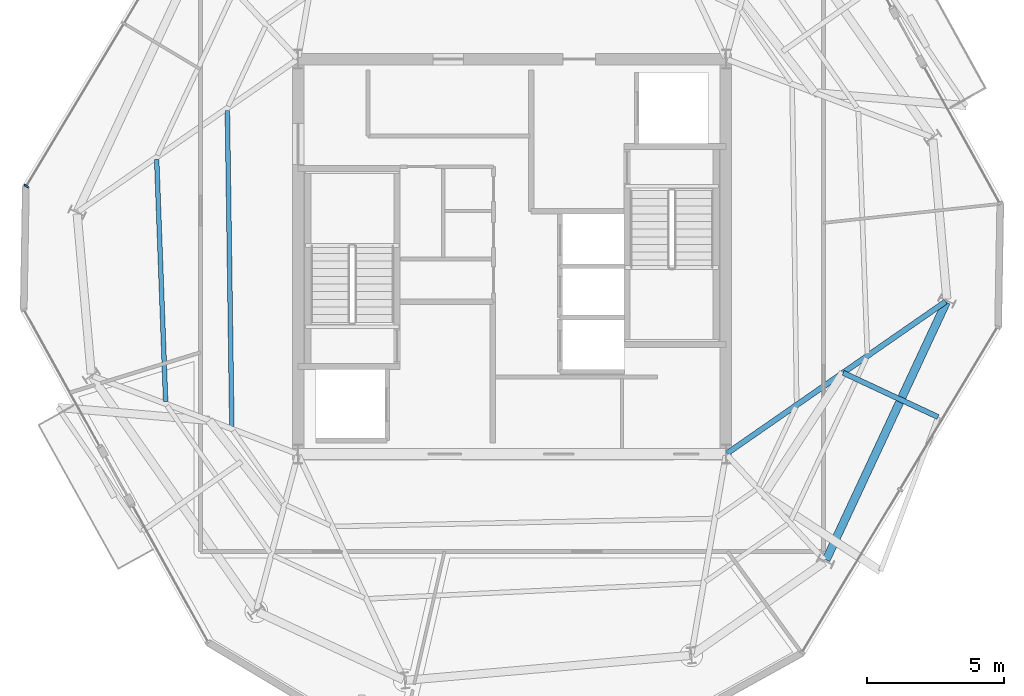
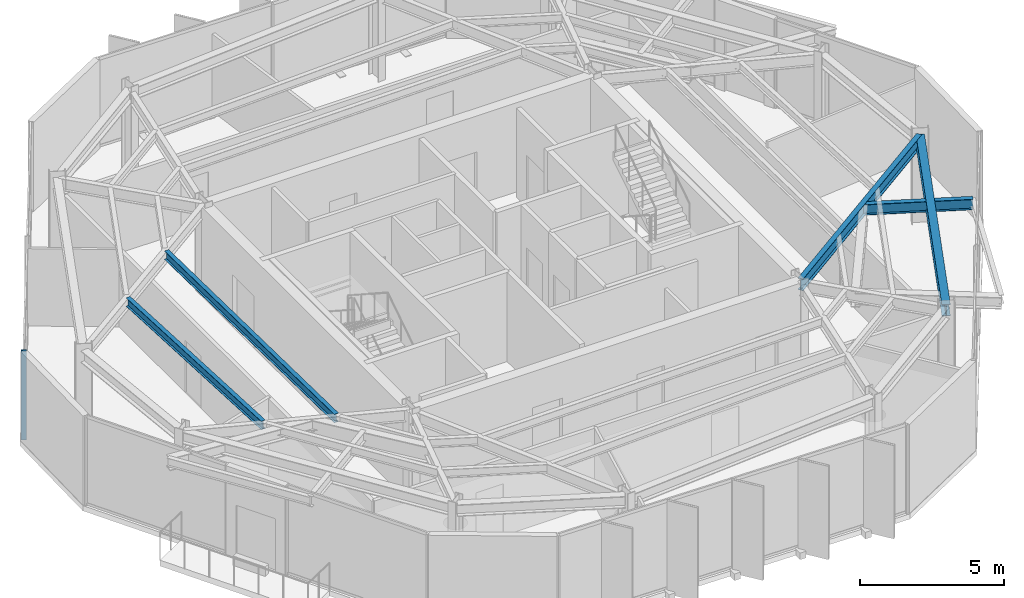
# One storey, part 3 of 10: 5 beams, 1 member, 1 element without a shape of its own.
"""IFC4 building model written with IfcOpenShell, lengths in metres."""

import ifcopenshell
import ifcopenshell.guid

model = None  # the IFC model being written
_history = None  # IfcOwnerHistory: only IFC2X3 demands one
_inside = {}  # id of a spatial element -> (the spatial element, [elements in it])
_under = {}  # id of a project, library or spatial element -> (it, [spatial elements below it])
_declared = {}  # id of a project -> (the project, [libraries it declares])
_typed = {}  # id of a type object -> (the type object, [elements of that type])
_made_of = {}  # id of a material, layer set ... -> (it, [elements and type objects made of it])


def new_model(schema):
    """Start an empty IFC model of exactly this schema.

    Asked for "IFC4X3", IfcOpenShell would pick the latest addendum, in which some entities
    have other attributes; the version numbers below select the first issue.
    IFC2X3 requires an IfcOwnerHistory on every rooted entity: one is made here for all.
    """
    global model, _history
    if schema == "IFC4X3":
        model = ifcopenshell.file(schema_version=(4, 3, 0, 0))
    else:
        model = ifcopenshell.file(schema=schema)
    _inside.clear()
    _under.clear()
    _declared.clear()
    _typed.clear()
    _made_of.clear()
    _history = None
    if model.schema == "IFC2X3":
        org = make("IfcOrganization", Name="unknown")
        user = make(
            "IfcPersonAndOrganization",
            ThePerson=make("IfcPerson", FamilyName="unknown"),
            TheOrganization=org,
        )
        app = make(
            "IfcApplication",
            ApplicationDeveloper=org,
            Version="unknown",
            ApplicationFullName="unknown",
            ApplicationIdentifier="unknown",
        )
        _history = make(
            "IfcOwnerHistory",
            OwningUser=user,
            OwningApplication=app,
            ChangeAction="ADDED",
            CreationDate=0,
        )
    return model


def make(cls, **values):
    """One entity of the class cls with the attributes given. An attribute that is None is left unset."""
    return model.create_entity(
        cls, **{name: value for name, value in values.items() if value is not None}
    )


def rooted(cls, **values):
    """An entity with a GlobalId (a new one), such as an element, a storey or a relation."""
    return make(cls, GlobalId=ifcopenshell.guid.new(), OwnerHistory=_history, **values)


def si_unit(unit_type, name, prefix=None):
    """IfcSIUnit, for example si_unit("LENGTHUNIT", "METRE", prefix="MILLI")."""
    return make("IfcSIUnit", UnitType=unit_type, Prefix=prefix, Name=name)


def assignment(units):
    """IfcUnitAssignment: the units of a project."""
    return None if units is None else make("IfcUnitAssignment", Units=units)


def point(xyz):
    """IfcCartesianPoint."""
    return None if xyz is None else make("IfcCartesianPoint", Coordinates=xyz)


def direction(xyz):
    """IfcDirection."""
    return None if xyz is None else make("IfcDirection", DirectionRatios=xyz)


def frame(location, z_axis=None, x_axis=None):
    """IfcAxis2Placement3D, a coordinate frame: its origin and axes. An axis left out is left unset."""
    return make(
        "IfcAxis2Placement3D",
        Location=point(location),
        Axis=direction(z_axis),
        RefDirection=direction(x_axis),
    )


def frame_2d(location, x_axis=None):
    """IfcAxis2Placement2D, a coordinate frame in the plane: its origin and x axis."""
    return make(
        "IfcAxis2Placement2D", Location=point(location), RefDirection=direction(x_axis)
    )


def origin():
    """The frame at (0, 0, 0) with its axes left unset."""
    return frame((0.0, 0.0, 0.0))


def origin_2d():
    """The frame at (0, 0) in the plane with its x axis left unset."""
    return frame_2d((0.0, 0.0))


def place(relative_to, where):
    """IfcLocalPlacement: puts the frame where relative to a parent placement (None: the world)."""
    return make(
        "IfcLocalPlacement", PlacementRelTo=relative_to, RelativePlacement=where
    )


def context(
    kind, dimensions, precision=None, world=None, true_north=None, identifier=None
):
    """IfcGeometricRepresentationContext, for example the 3D "Model" context."""
    return make(
        "IfcGeometricRepresentationContext",
        ContextIdentifier=identifier,
        ContextType=kind,
        CoordinateSpaceDimension=dimensions,
        Precision=precision,
        WorldCoordinateSystem=world,
        TrueNorth=true_north,
    )


def subcontext(parent, identifier, kind, view, scale=None):
    """IfcGeometricRepresentationSubContext, for example "Body" below "Model"."""
    return make(
        "IfcGeometricRepresentationSubContext",
        ContextIdentifier=identifier,
        ContextType=kind,
        ParentContext=parent,
        TargetScale=scale,
        TargetView=view,
    )


def project(units=None, contexts=None):
    """IfcProject with its units and contexts."""
    return rooted(
        "IfcProject",
        Name="project",
        RepresentationContexts=contexts,
        UnitsInContext=assignment(units),
    )


def spatial(cls, under=None, at=None, **own):
    """A site, building, storey or space (cls), placed at a placement, below another one or the project."""
    s = rooted(cls, ObjectPlacement=at, **own)
    if under is not None:
        _under.setdefault(under.id(), (under, []))[1].append(s)
    return s


def profile(cls, at=None, kind="AREA", **sizes):
    """A parametric profile (cls). Its sizes go by their IFC names, for example OverallWidth=200.0."""
    return make(cls, ProfileType=kind, Position=at, **sizes)


def rectangle(**sizes):
    """IfcRectangleProfileDef."""
    return profile("IfcRectangleProfileDef", **sizes)


def i_section(**sizes):
    """IfcIShapeProfileDef."""
    return profile("IfcIShapeProfileDef", **sizes)


def extrude(swept, where, along, depth):
    """IfcExtrudedAreaSolid: the profile swept, set in the frame where, extruded along a direction by depth."""
    return make(
        "IfcExtrudedAreaSolid",
        SweptArea=swept,
        Position=where,
        ExtrudedDirection=direction(along),
        Depth=depth,
    )


def shape(context_of_items, identifier, shape_type, items):
    """IfcShapeRepresentation: the items that make up one representation, for example the "Body"."""
    return make(
        "IfcShapeRepresentation",
        ContextOfItems=context_of_items,
        RepresentationIdentifier=identifier,
        RepresentationType=shape_type,
        Items=items,
    )


def material(Name=None, Category=None):
    """IfcMaterial."""
    return make("IfcMaterial", Name=Name, Category=Category)


def layer(
    of_material, thickness, ventilated=None, Name=None, Category=None, Priority=None
):
    """IfcMaterialLayer: one layer of a wall or slab, of a material (None: an air gap)."""
    return make(
        "IfcMaterialLayer",
        Material=of_material,
        LayerThickness=thickness,
        IsVentilated=ventilated,
        Name=Name,
        Category=Category,
        Priority=Priority,
    )


def layer_set(layers, Name=None):
    """IfcMaterialLayerSet."""
    return make("IfcMaterialLayerSet", MaterialLayers=layers, LayerSetName=Name)


def material_profile(
    of_material, cross_section, Name=None, Category=None, Priority=None
):
    """IfcMaterialProfile: a cross section and its material."""
    return make(
        "IfcMaterialProfile",
        Name=Name,
        Material=of_material,
        Profile=cross_section,
        Priority=Priority,
        Category=Category,
    )


def profile_set(profiles, Name=None, composite=None):
    """IfcMaterialProfileSet."""
    return make(
        "IfcMaterialProfileSet",
        Name=Name,
        MaterialProfiles=profiles,
        CompositeProfile=composite,
    )


def made_of(thing, what):
    """Note that an element or type object is made of a material, layer set ...; save() writes the relation."""
    if what is not None:
        _made_of.setdefault(what.id(), (what, []))[1].append(thing)
    return thing


def type_object(cls, material=None, **own):
    """A type object (cls), such as IfcWallType, which elements share."""
    return made_of(rooted(cls, **own), material)


def element(
    cls,
    number,
    at=None,
    inside=None,
    cuts=None,
    type_object=None,
    material=None,
    context=None,
    identifier="Body",
    shape_type=None,
    held_by="IfcProductDefinitionShape",
    body=None,
    shapes=None,
    **own,
):
    """One element of the class cls, such as IfcWall. Its Tag is "e" and its number.

    at: its placement. inside: the storey or other place that contains it. cuts: it is an
    opening in that element (IfcRelVoidsElement). A single representation is given by context,
    identifier, shape_type and body (its items); several are given by shapes. held_by: the class
    of the entity that holds the representations. save() writes the other relations.
    """
    e = rooted(cls, Tag="e%d" % number, ObjectPlacement=at, **own)
    if body is not None:
        shapes = [shape(context, identifier, shape_type, body)]
    if shapes is not None:
        e.Representation = make(held_by, Representations=shapes)
    if inside is not None:
        _inside.setdefault(inside.id(), (inside, []))[1].append(e)
    if cuts is not None:
        rooted(
            "IfcRelVoidsElement", RelatingBuildingElement=cuts, RelatedOpeningElement=e
        )
    if type_object is not None:
        _typed.setdefault(type_object.id(), (type_object, []))[1].append(e)
    return made_of(e, material)


def aggregate(whole, parts):
    """IfcRelAggregates: a whole, such as a stair, and the parts it consists of."""
    return rooted("IfcRelAggregates", RelatingObject=whole, RelatedObjects=parts)


def save(model, path):
    """Write the relations noted so far, then the file.

    IfcRelAggregates (storeys below a building ...), IfcRelContainedInSpatialStructure (elements
    in a storey), IfcRelDefinesByType, IfcRelAssociatesMaterial and IfcRelDeclares: one each for
    every whole, place, type object, material and project.
    """
    for whole, parts in _under.values():
        aggregate(whole, parts)
    for where, things in _inside.values():
        rooted(
            "IfcRelContainedInSpatialStructure",
            RelatedElements=things,
            RelatingStructure=where,
        )
    for kind, things in _typed.values():
        rooted("IfcRelDefinesByType", RelatedObjects=things, RelatingType=kind)
    for what, things in _made_of.values():
        rooted("IfcRelAssociatesMaterial", RelatedObjects=things, RelatingMaterial=what)
    for by, libraries in _declared.values():
        rooted("IfcRelDeclares", RelatingContext=by, RelatedDefinitions=libraries)
    model.write(path)


model = new_model("IFC4")

# Units and contexts
model_context = context("Model", 3, precision=1e-05, world=origin(), true_north=direction((0.0, 1.0)))
body_context = subcontext(model_context, "Body", "Model", "MODEL_VIEW")
ifc_project = project(units=[si_unit("LENGTHUNIT", "METRE"), si_unit("AREAUNIT", "SQUARE_METRE"), si_unit("VOLUMEUNIT", "CUBIC_METRE"), si_unit("PLANEANGLEUNIT", "RADIAN"), si_unit("MASSUNIT", "GRAM", prefix="KILO")], contexts=[model_context])

# Site, building, storey
site_placement = place(None, origin())
site = spatial("IfcSite", under=ifc_project, at=site_placement, CompositionType="ELEMENT")
building_placement = place(site_placement, origin())
building = spatial("IfcBuilding", under=site, at=building_placement, Name="Kranzbogen Civic Tower", CompositionType="ELEMENT")
storey_placement = place(building_placement, frame((0.0, 0.0, 262.199951171875)))
storey = spatial("IfcBuildingStorey", under=building, at=storey_placement, Name="L63", CompositionType="ELEMENT", Elevation=262.199951171875)

# Beam
ifc_material_1 = material(Name="Steel S355", Category="steel")
ifc_material_profile_1 = material_profile(ifc_material_1, i_section(OverallWidth=0.18994140625, OverallDepth=0.449951171875, WebThickness=0.009521484375, FlangeThickness=0.0146484375, at=origin_2d()), Name="IPE 450")
ifc_profile_set_1 = profile_set([ifc_material_profile_1], Name="Steel S355")
beam_type_1 = type_object("IfcBeamType", Name="Braced Terrace Edge Beam IPE 450", PredefinedType="BEAM", material=ifc_profile_set_1)
beam_1_placement = place(storey_placement, frame((37.072998046875, 20.761962890625, 3.4951171875), z_axis=(0.906312348888, -0.422608478682, 0.0), x_axis=(0.422608478682, 0.906312348888, 0.0)))
element("IfcBeam", 1, at=beam_1_placement, inside=storey, type_object=beam_type_1, Name="L64 back-spanned terrace beam L64-ST-2", PredefinedType="BEAM", context=body_context, shape_type="SweptSolid", body=[
    extrude(i_section(OverallWidth=0.18994140625, OverallDepth=0.449951171875, WebThickness=0.009521484375, FlangeThickness=0.0146484375, at=origin_2d()), origin(), (0.0, 0.0, 1.0), 3.812255859375),
])

# Curtain wall, member
ifc_material_2 = material(Name="Pale Anodised Aluminium", Category="aluminium")
ifc_layer = layer(ifc_material_2, 0.219970703125, Name="Pale Anodised Aluminium")
ifc_layer_set = layer_set([ifc_layer], Name="Pale Anodised Aluminium")
curtain_wall_type = type_object("IfcCurtainWallType", Name="Zone 4 Stick Curtain Wall System CW-05", PredefinedType="USERDEFINED", material=ifc_layer_set)
curtain_wall_placement = place(storey_placement, origin())
curtain_wall = element("IfcCurtainWall", 2, at=curtain_wall_placement, inside=storey, type_object=curtain_wall_type, Name="L63 curtain wall CW-L63-F2", ObjectType="STICK CURTAIN WALL", PredefinedType="USERDEFINED")
ifc_material_profile_2 = material_profile(ifc_material_2, rectangle(XDim=0.06494140625, YDim=0.179931640625, at=origin_2d()), Name="ALU-M 65x180")
ifc_profile_set_2 = profile_set([ifc_material_profile_2], Name="Pale Anodised Aluminium")
member_type = type_object("IfcMemberType", Name="Curtain Wall Mullion ALU-M 65x180", PredefinedType="MULLION", material=ifc_profile_set_2)
member_placement = place(storey_placement, frame((7.29833984375, 27.567626953125, 0.0), z_axis=(0.0, 0.0, 1.0), x_axis=(-0.515035522979, -0.857168834052, 0.0)))
member = element("IfcMember", 3, at=member_placement, type_object=member_type, Name="CW-05 mullion 3", PredefinedType="MULLION", context=body_context, shape_type="SweptSolid", body=[
    extrude(rectangle(XDim=0.06494140625, YDim=0.179931640625, at=origin_2d()), origin(), (0.0, 0.0, 1.0), 3.780029296875),
])
aggregate(curtain_wall, [member])

# Beams
ifc_material_profile_3 = material_profile(ifc_material_1, i_section(OverallWidth=0.300048828125, OverallDepth=0.5, WebThickness=0.014404296875, FlangeThickness=0.028076171875, at=origin_2d()), Name="HEB 500")
ifc_profile_set_3 = profile_set([ifc_material_profile_3], Name="Steel S355")
beam_type_2 = type_object("IfcBeamType", Name="Perimeter Tube Spandrel Beam HEB 500", PredefinedType="SPANDREL", material=ifc_profile_set_3)
beam_2_placement = place(storey_placement, frame((36.449951171875, 13.944091796875, 3.530029296875), z_axis=(0.422668780888, 0.906284227857, 0.0), x_axis=(-0.906284227857, 0.422668780888, 0.0)))
element("IfcBeam", 4, at=beam_2_placement, inside=storey, type_object=beam_type_2, Name="L63 perimeter spandrel beam 05", PredefinedType="SPANDREL", context=body_context, shape_type="SweptSolid", body=[
    extrude(i_section(OverallWidth=0.300048828125, OverallDepth=0.5, WebThickness=0.014404296875, FlangeThickness=0.028076171875, at=origin_2d()), origin(), (0.0, 0.0, 1.0), 10.363037109375),
])
ifc_material_profile_4 = material_profile(ifc_material_1, i_section(OverallWidth=0.199951171875, OverallDepth=0.5, WebThickness=0.01025390625, FlangeThickness=0.01611328125, at=origin_2d()), Name="IPE 500")
ifc_profile_set_4 = profile_set([ifc_material_profile_4], Name="Steel S355")
beam_type_3 = type_object("IfcBeamType", Name="Radial Tower Floor Girder IPE 500", PredefinedType="BEAM", material=ifc_profile_set_4)
beam_3_placement = place(storey_placement, frame((40.805908203125, 23.35595703125, 3.530029296875), z_axis=(-0.821542812331, -0.570146829779, 0.0), x_axis=(0.570146829779, -0.821542812331, 0.0)))
element("IfcBeam", 5, at=beam_3_placement, inside=storey, type_object=beam_type_3, Name="L63 radial floor girder 06", PredefinedType="BEAM", context=body_context, shape_type="SweptSolid", body=[
    extrude(i_section(OverallWidth=0.199951171875, OverallDepth=0.5, WebThickness=0.01025390625, FlangeThickness=0.01611328125, at=origin_2d()), origin(), (0.0, 0.0, 1.0), 9.68505859375),
])
ifc_material_profile_5 = material_profile(ifc_material_1, i_section(OverallWidth=0.169921875, OverallDepth=0.360107421875, WebThickness=0.008056640625, FlangeThickness=0.0126953125, at=origin_2d()), Name="IPE 360")
ifc_profile_set_5 = profile_set([ifc_material_profile_5], Name="Steel S355")
beam_type_4 = type_object("IfcBeamType", Name="Secondary Composite Floor Joist IPE 360", PredefinedType="JOIST", material=ifc_profile_set_5)
beam_4_placement = place(storey_placement, frame((12.048095703125, 28.5419921875, 3.60009765625), z_axis=(0.036992246074, -0.999315552631, 0.0), x_axis=(0.999315552631, 0.036992246074, 0.0)))
element("IfcBeam", 6, at=beam_4_placement, inside=storey, type_object=beam_type_4, Name="L63 secondary floor joist 1.12", PredefinedType="JOIST", context=body_context, shape_type="SweptSolid", body=[
    extrude(i_section(OverallWidth=0.169921875, OverallDepth=0.360107421875, WebThickness=0.008056640625, FlangeThickness=0.0126953125, at=origin_2d()), origin(), (0.0, 0.0, 1.0), 8.837158203125),
])
beam_5_placement = place(storey_placement, frame((14.6240234375, 30.3310546875, 3.60009765625), z_axis=(0.014221385906, -0.999898870978, 0.0), x_axis=(0.999898870978, 0.014221385906, 0.0)))
element("IfcBeam", 7, at=beam_5_placement, inside=storey, type_object=beam_type_4, Name="L63 secondary floor joist 2.12", PredefinedType="JOIST", context=body_context, shape_type="SweptSolid", body=[
    extrude(i_section(OverallWidth=0.169921875, OverallDepth=0.360107421875, WebThickness=0.008056640625, FlangeThickness=0.0126953125, at=origin_2d()), origin(), (0.0, 0.0, 1.0), 11.536376953125),
])

save(model, "model.ifc")
